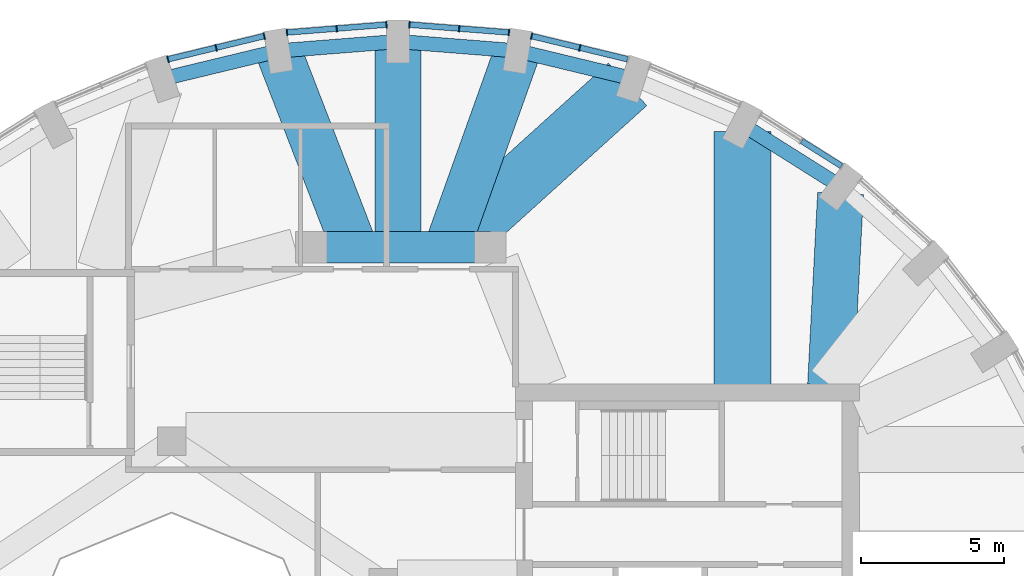
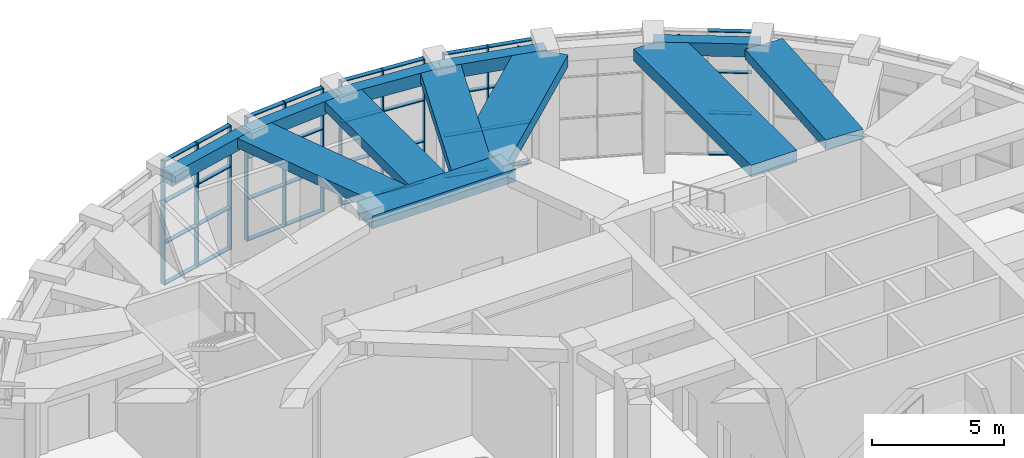
# One storey, part 10 of 20: 47 members, 12 beams, 5 elements without a shape of their own.
"""IFC4 building model written with IfcOpenShell, lengths in metres."""

import ifcopenshell
import ifcopenshell.guid

model = None  # the IFC model being written
_history = None  # IfcOwnerHistory: only IFC2X3 demands one
_inside = {}  # id of a spatial element -> (the spatial element, [elements in it])
_under = {}  # id of a project, library or spatial element -> (it, [spatial elements below it])
_declared = {}  # id of a project -> (the project, [libraries it declares])
_typed = {}  # id of a type object -> (the type object, [elements of that type])
_made_of = {}  # id of a material, layer set ... -> (it, [elements and type objects made of it])


def new_model(schema):
    """Start an empty IFC model of exactly this schema.

    Asked for "IFC4X3", IfcOpenShell would pick the latest addendum, in which some entities
    have other attributes; the version numbers below select the first issue.
    IFC2X3 requires an IfcOwnerHistory on every rooted entity: one is made here for all.
    """
    global model, _history
    if schema == "IFC4X3":
        model = ifcopenshell.file(schema_version=(4, 3, 0, 0))
    else:
        model = ifcopenshell.file(schema=schema)
    _inside.clear()
    _under.clear()
    _declared.clear()
    _typed.clear()
    _made_of.clear()
    _history = None
    if model.schema == "IFC2X3":
        org = make("IfcOrganization", Name="unknown")
        user = make(
            "IfcPersonAndOrganization",
            ThePerson=make("IfcPerson", FamilyName="unknown"),
            TheOrganization=org,
        )
        app = make(
            "IfcApplication",
            ApplicationDeveloper=org,
            Version="unknown",
            ApplicationFullName="unknown",
            ApplicationIdentifier="unknown",
        )
        _history = make(
            "IfcOwnerHistory",
            OwningUser=user,
            OwningApplication=app,
            ChangeAction="ADDED",
            CreationDate=0,
        )
    return model


def make(cls, **values):
    """One entity of the class cls with the attributes given. An attribute that is None is left unset."""
    return model.create_entity(
        cls, **{name: value for name, value in values.items() if value is not None}
    )


def rooted(cls, **values):
    """An entity with a GlobalId (a new one), such as an element, a storey or a relation."""
    return make(cls, GlobalId=ifcopenshell.guid.new(), OwnerHistory=_history, **values)


def si_unit(unit_type, name, prefix=None):
    """IfcSIUnit, for example si_unit("LENGTHUNIT", "METRE", prefix="MILLI")."""
    return make("IfcSIUnit", UnitType=unit_type, Prefix=prefix, Name=name)


def assignment(units):
    """IfcUnitAssignment: the units of a project."""
    return None if units is None else make("IfcUnitAssignment", Units=units)


def point(xyz):
    """IfcCartesianPoint."""
    return None if xyz is None else make("IfcCartesianPoint", Coordinates=xyz)


def direction(xyz):
    """IfcDirection."""
    return None if xyz is None else make("IfcDirection", DirectionRatios=xyz)


def frame(location, z_axis=None, x_axis=None):
    """IfcAxis2Placement3D, a coordinate frame: its origin and axes. An axis left out is left unset."""
    return make(
        "IfcAxis2Placement3D",
        Location=point(location),
        Axis=direction(z_axis),
        RefDirection=direction(x_axis),
    )


def frame_2d(location, x_axis=None):
    """IfcAxis2Placement2D, a coordinate frame in the plane: its origin and x axis."""
    return make(
        "IfcAxis2Placement2D", Location=point(location), RefDirection=direction(x_axis)
    )


def origin():
    """The frame at (0, 0, 0) with its axes left unset."""
    return frame((0.0, 0.0, 0.0))


def origin_2d():
    """The frame at (0, 0) in the plane with its x axis left unset."""
    return frame_2d((0.0, 0.0))


def place(relative_to, where):
    """IfcLocalPlacement: puts the frame where relative to a parent placement (None: the world)."""
    return make(
        "IfcLocalPlacement", PlacementRelTo=relative_to, RelativePlacement=where
    )


def context(
    kind, dimensions, precision=None, world=None, true_north=None, identifier=None
):
    """IfcGeometricRepresentationContext, for example the 3D "Model" context."""
    return make(
        "IfcGeometricRepresentationContext",
        ContextIdentifier=identifier,
        ContextType=kind,
        CoordinateSpaceDimension=dimensions,
        Precision=precision,
        WorldCoordinateSystem=world,
        TrueNorth=true_north,
    )


def subcontext(parent, identifier, kind, view, scale=None):
    """IfcGeometricRepresentationSubContext, for example "Body" below "Model"."""
    return make(
        "IfcGeometricRepresentationSubContext",
        ContextIdentifier=identifier,
        ContextType=kind,
        ParentContext=parent,
        TargetScale=scale,
        TargetView=view,
    )


def project(units=None, contexts=None):
    """IfcProject with its units and contexts."""
    return rooted(
        "IfcProject",
        Name="project",
        RepresentationContexts=contexts,
        UnitsInContext=assignment(units),
    )


def spatial(cls, under=None, at=None, **own):
    """A site, building, storey or space (cls), placed at a placement, below another one or the project."""
    s = rooted(cls, ObjectPlacement=at, **own)
    if under is not None:
        _under.setdefault(under.id(), (under, []))[1].append(s)
    return s


def profile(cls, at=None, kind="AREA", **sizes):
    """A parametric profile (cls). Its sizes go by their IFC names, for example OverallWidth=200.0."""
    return make(cls, ProfileType=kind, Position=at, **sizes)


def rectangle(**sizes):
    """IfcRectangleProfileDef."""
    return profile("IfcRectangleProfileDef", **sizes)


def extrude(swept, where, along, depth):
    """IfcExtrudedAreaSolid: the profile swept, set in the frame where, extruded along a direction by depth."""
    return make(
        "IfcExtrudedAreaSolid",
        SweptArea=swept,
        Position=where,
        ExtrudedDirection=direction(along),
        Depth=depth,
    )


def shape(context_of_items, identifier, shape_type, items):
    """IfcShapeRepresentation: the items that make up one representation, for example the "Body"."""
    return make(
        "IfcShapeRepresentation",
        ContextOfItems=context_of_items,
        RepresentationIdentifier=identifier,
        RepresentationType=shape_type,
        Items=items,
    )


def material(Name=None, Category=None):
    """IfcMaterial."""
    return make("IfcMaterial", Name=Name, Category=Category)


def material_profile(
    of_material, cross_section, Name=None, Category=None, Priority=None
):
    """IfcMaterialProfile: a cross section and its material."""
    return make(
        "IfcMaterialProfile",
        Name=Name,
        Material=of_material,
        Profile=cross_section,
        Priority=Priority,
        Category=Category,
    )


def profile_set(profiles, Name=None, composite=None):
    """IfcMaterialProfileSet."""
    return make(
        "IfcMaterialProfileSet",
        Name=Name,
        MaterialProfiles=profiles,
        CompositeProfile=composite,
    )


def made_of(thing, what):
    """Note that an element or type object is made of a material, layer set ...; save() writes the relation."""
    if what is not None:
        _made_of.setdefault(what.id(), (what, []))[1].append(thing)
    return thing


def type_object(cls, material=None, **own):
    """A type object (cls), such as IfcWallType, which elements share."""
    return made_of(rooted(cls, **own), material)


def element(
    cls,
    number,
    at=None,
    inside=None,
    cuts=None,
    type_object=None,
    material=None,
    context=None,
    identifier="Body",
    shape_type=None,
    held_by="IfcProductDefinitionShape",
    body=None,
    shapes=None,
    **own,
):
    """One element of the class cls, such as IfcWall. Its Tag is "e" and its number.

    at: its placement. inside: the storey or other place that contains it. cuts: it is an
    opening in that element (IfcRelVoidsElement). A single representation is given by context,
    identifier, shape_type and body (its items); several are given by shapes. held_by: the class
    of the entity that holds the representations. save() writes the other relations.
    """
    e = rooted(cls, Tag="e%d" % number, ObjectPlacement=at, **own)
    if body is not None:
        shapes = [shape(context, identifier, shape_type, body)]
    if shapes is not None:
        e.Representation = make(held_by, Representations=shapes)
    if inside is not None:
        _inside.setdefault(inside.id(), (inside, []))[1].append(e)
    if cuts is not None:
        rooted(
            "IfcRelVoidsElement", RelatingBuildingElement=cuts, RelatedOpeningElement=e
        )
    if type_object is not None:
        _typed.setdefault(type_object.id(), (type_object, []))[1].append(e)
    return made_of(e, material)


def aggregate(whole, parts):
    """IfcRelAggregates: a whole, such as a stair, and the parts it consists of."""
    return rooted("IfcRelAggregates", RelatingObject=whole, RelatedObjects=parts)


def save(model, path):
    """Write the relations noted so far, then the file.

    IfcRelAggregates (storeys below a building ...), IfcRelContainedInSpatialStructure (elements
    in a storey), IfcRelDefinesByType, IfcRelAssociatesMaterial and IfcRelDeclares: one each for
    every whole, place, type object, material and project.
    """
    for whole, parts in _under.values():
        aggregate(whole, parts)
    for where, things in _inside.values():
        rooted(
            "IfcRelContainedInSpatialStructure",
            RelatedElements=things,
            RelatingStructure=where,
        )
    for kind, things in _typed.values():
        rooted("IfcRelDefinesByType", RelatedObjects=things, RelatingType=kind)
    for what, things in _made_of.values():
        rooted("IfcRelAssociatesMaterial", RelatedObjects=things, RelatingMaterial=what)
    for by, libraries in _declared.values():
        rooted("IfcRelDeclares", RelatingContext=by, RelatedDefinitions=libraries)
    model.write(path)


model = new_model("IFC4")

# Units and contexts
model_context = context("Model", 3, precision=1e-05, world=origin(), true_north=direction((0.0, 1.0)))
body_context = subcontext(model_context, "Body", "Model", "MODEL_VIEW")
ifc_project = project(units=[si_unit("LENGTHUNIT", "METRE"), si_unit("AREAUNIT", "SQUARE_METRE"), si_unit("VOLUMEUNIT", "CUBIC_METRE"), si_unit("PLANEANGLEUNIT", "RADIAN"), si_unit("MASSUNIT", "GRAM", prefix="KILO")], contexts=[model_context])

# Site, building, storey
site_placement = place(None, origin())
site = spatial("IfcSite", under=ifc_project, at=site_placement, CompositionType="ELEMENT")
building_placement = place(site_placement, origin())
building = spatial("IfcBuilding", under=site, at=building_placement, Name="Taillehof Tower", CompositionType="ELEMENT")
storey_placement = place(building_placement, frame((0.0, 0.0, 269.199951171875)))
storey = spatial("IfcBuildingStorey", under=building, at=storey_placement, Name="L76", CompositionType="ELEMENT", Elevation=269.199951171875)

# Beam
ifc_material_1 = material(Name="Concrete C50/60", Category="concrete")
ifc_material_profile_1 = material_profile(ifc_material_1, rectangle(XDim=1.10009765625, YDim=0.60009765625, at=origin_2d()), Name="RC 1100x600")
ifc_profile_set_1 = profile_set([ifc_material_profile_1], Name="Concrete C50/60")
beam_type_1 = type_object("IfcBeamType", Name="Mid-ring beam C50/60 1100x600", PredefinedType="BEAM", material=ifc_profile_set_1)
beam_1_placement = place(storey_placement, frame((3.125732421875, 14.772216796875, 5.400146484375), z_axis=(-1.0, 0.0, 0.0), x_axis=(0.0, -1.0, 0.0)))
element("IfcBeam", 1, at=beam_1_placement, inside=storey, type_object=beam_type_1, Name="Mid-ring beam MB01", PredefinedType="BEAM", context=body_context, shape_type="SweptSolid", body=[
    extrude(rectangle(XDim=1.10009765625, YDim=0.60009765625, at=origin_2d()), origin(), (0.0, 0.0, 1.0), 6.25146484375),
])

# Curtain wall, members
ifc_material_2 = material(Name="Aluminium curtain wall with Clear toughened laminated glass", Category="aluminium")
curtain_wall_type = type_object("IfcCurtainWallType", Name="Observation deck curtain wall", PredefinedType="USERDEFINED", material=ifc_material_2)
curtain_wall_1_placement = place(storey_placement, origin())
curtain_wall_1 = element("IfcCurtainWall", 2, at=curtain_wall_1_placement, inside=storey, type_object=curtain_wall_type, Name="Observation deck L76 bay 8", ObjectType="WINDOW WALL", PredefinedType="USERDEFINED")
ifc_material_3 = material(Name="Aluminium mullion", Category="aluminium")
ifc_material_profile_2 = material_profile(ifc_material_3, rectangle(XDim=0.239990234375, YDim=0.0400390625, at=origin_2d()), Name="AL 40x240")
ifc_profile_set_2 = profile_set([ifc_material_profile_2], Name="Aluminium mullion")
member_type_1 = type_object("IfcMemberType", Name="Observation deck mullion 40x240", PredefinedType="MULLION", material=ifc_profile_set_2)
member_1_placement = place(storey_placement, frame((6.246337890625, 21.73291015625, 0.0), z_axis=(0.0, 0.0, 1.0), x_axis=(-0.234514520129, -0.972112616855, 0.0)))
member_1 = element("IfcMember", 3, at=member_1_placement, type_object=member_type_1, Name="CT6E08 mullion 2", PredefinedType="MULLION", context=body_context, shape_type="SweptSolid", body=[
    extrude(rectangle(XDim=0.239990234375, YDim=0.0400390625, at=origin_2d()), origin(), (0.0, 0.0, 1.0), 5.699951171875),
])
member_2_placement = place(storey_placement, frame((4.563720703125, 22.138916015625, 0.0), z_axis=(0.0, 0.0, 1.0), x_axis=(-0.234514520129, -0.972112616855, 0.0)))
member_2 = element("IfcMember", 4, at=member_2_placement, type_object=member_type_1, Name="CT6E08 mullion 3", PredefinedType="MULLION", context=body_context, shape_type="SweptSolid", body=[
    extrude(rectangle(XDim=0.239990234375, YDim=0.0400390625, at=origin_2d()), origin(), (0.0, 0.0, 1.0), 5.699951171875),
])

curtain_wall_2_placement = place(storey_placement, origin())
curtain_wall_2 = element("IfcCurtainWall", 5, at=curtain_wall_2_placement, inside=storey, type_object=curtain_wall_type, Name="Observation deck L76 bay 9", ObjectType="WINDOW WALL", PredefinedType="USERDEFINED")
member_3_placement = place(storey_placement, frame((3.773681640625, 22.264404296875, 0.0), z_axis=(0.0, 0.0, 1.0), x_axis=(-0.078525059075, -0.996912140109, 0.0)))
member_3 = element("IfcMember", 6, at=member_3_placement, type_object=member_type_1, Name="CT6E09 mullion 1", PredefinedType="MULLION", context=body_context, shape_type="SweptSolid", body=[
    extrude(rectangle(XDim=0.239990234375, YDim=0.0400390625, at=origin_2d()), origin(), (0.0, 0.0, 1.0), 5.699951171875),
])
member_4_placement = place(storey_placement, frame((2.036865234375, 22.4013671875, 0.0), z_axis=(0.0, 0.0, 1.0), x_axis=(-0.078525059075, -0.996912140109, 0.0)))
member_4 = element("IfcMember", 7, at=member_4_placement, type_object=member_type_1, Name="CT6E09 mullion 2", PredefinedType="MULLION", context=body_context, shape_type="SweptSolid", body=[
    extrude(rectangle(XDim=0.239990234375, YDim=0.0400390625, at=origin_2d()), origin(), (0.0, 0.0, 1.0), 5.699951171875),
])
member_5_placement = place(storey_placement, frame((0.300048828125, 22.5380859375, 0.0), z_axis=(0.0, 0.0, 1.0), x_axis=(-0.078525059075, -0.996912140109, 0.0)))
member_5 = element("IfcMember", 8, at=member_5_placement, type_object=member_type_1, Name="CT6E09 mullion 3", PredefinedType="MULLION", context=body_context, shape_type="SweptSolid", body=[
    extrude(rectangle(XDim=0.239990234375, YDim=0.0400390625, at=origin_2d()), origin(), (0.0, 0.0, 1.0), 5.699951171875),
])

curtain_wall_3_placement = place(storey_placement, origin())
curtain_wall_3 = element("IfcCurtainWall", 9, at=curtain_wall_3_placement, inside=storey, type_object=curtain_wall_type, Name="Observation deck L76 bay 10", ObjectType="WINDOW WALL", PredefinedType="USERDEFINED")
member_6_placement = place(storey_placement, frame((-0.5, 22.5380859375, 0.0), z_axis=(0.0, 0.0, 1.0), x_axis=(0.078525059075, -0.996912140109, 0.0)))
member_6 = element("IfcMember", 10, at=member_6_placement, type_object=member_type_1, Name="CT6E10 mullion 1", PredefinedType="MULLION", context=body_context, shape_type="SweptSolid", body=[
    extrude(rectangle(XDim=0.239990234375, YDim=0.0400390625, at=origin_2d()), origin(), (0.0, 0.0, 1.0), 5.699951171875),
])
member_7_placement = place(storey_placement, frame((-2.23681640625, 22.4013671875, 0.0), z_axis=(0.0, 0.0, 1.0), x_axis=(0.078525059075, -0.996912140109, 0.0)))
member_7 = element("IfcMember", 11, at=member_7_placement, type_object=member_type_1, Name="CT6E10 mullion 2", PredefinedType="MULLION", context=body_context, shape_type="SweptSolid", body=[
    extrude(rectangle(XDim=0.239990234375, YDim=0.0400390625, at=origin_2d()), origin(), (0.0, 0.0, 1.0), 5.699951171875),
])
member_8_placement = place(storey_placement, frame((-3.9736328125, 22.264404296875, 0.0), z_axis=(0.0, 0.0, 1.0), x_axis=(0.078525059075, -0.996912140109, 0.0)))
member_8 = element("IfcMember", 12, at=member_8_placement, type_object=member_type_1, Name="CT6E10 mullion 3", PredefinedType="MULLION", context=body_context, shape_type="SweptSolid", body=[
    extrude(rectangle(XDim=0.239990234375, YDim=0.0400390625, at=origin_2d()), origin(), (0.0, 0.0, 1.0), 5.699951171875),
])

curtain_wall_4_placement = place(storey_placement, origin())
curtain_wall_4 = element("IfcCurtainWall", 13, at=curtain_wall_4_placement, inside=storey, type_object=curtain_wall_type, Name="Observation deck L76 bay 11", ObjectType="WINDOW WALL", PredefinedType="USERDEFINED")
member_9_placement = place(storey_placement, frame((-4.763671875, 22.138916015625, 0.0), z_axis=(0.0, 0.0, 1.0), x_axis=(0.234514520129, -0.972112616855, 0.0)))
member_9 = element("IfcMember", 14, at=member_9_placement, type_object=member_type_1, Name="CT6E11 mullion 1", PredefinedType="MULLION", context=body_context, shape_type="SweptSolid", body=[
    extrude(rectangle(XDim=0.239990234375, YDim=0.0400390625, at=origin_2d()), origin(), (0.0, 0.0, 1.0), 5.699951171875),
])
member_10_placement = place(storey_placement, frame((-6.4462890625, 21.73291015625, 0.0), z_axis=(0.0, 0.0, 1.0), x_axis=(0.234514520129, -0.972112616855, 0.0)))
member_10 = element("IfcMember", 15, at=member_10_placement, type_object=member_type_1, Name="CT6E11 mullion 2", PredefinedType="MULLION", context=body_context, shape_type="SweptSolid", body=[
    extrude(rectangle(XDim=0.239990234375, YDim=0.0400390625, at=origin_2d()), origin(), (0.0, 0.0, 1.0), 5.699951171875),
])
member_11_placement = place(storey_placement, frame((-8.12890625, 21.3271484375, 0.0), z_axis=(0.0, 0.0, 1.0), x_axis=(0.234514520129, -0.972112616855, 0.0)))
member_11 = element("IfcMember", 16, at=member_11_placement, type_object=member_type_1, Name="CT6E11 mullion 3", PredefinedType="MULLION", context=body_context, shape_type="SweptSolid", body=[
    extrude(rectangle(XDim=0.239990234375, YDim=0.0400390625, at=origin_2d()), origin(), (0.0, 0.0, 1.0), 5.699951171875),
])

curtain_wall_5_placement = place(storey_placement, origin())
curtain_wall_5 = element("IfcCurtainWall", 17, at=curtain_wall_5_placement, inside=storey, type_object=curtain_wall_type, Name="Observation deck L76 bay 6", ObjectType="WINDOW WALL", PredefinedType="USERDEFINED")
ifc_material_4 = material(Name="Aluminium transom", Category="aluminium")
ifc_material_profile_3 = material_profile(ifc_material_4, rectangle(XDim=0.199951171875, YDim=0.0400390625, at=origin_2d()), Name="AL 200x40")
ifc_profile_set_3 = profile_set([ifc_material_profile_3], Name="Aluminium transom")
member_type_2 = type_object("IfcMemberType", Name="Observation deck transom 200x40", PredefinedType="USERDEFINED", material=ifc_profile_set_3)
member_12_placement = place(storey_placement, frame((15.376708984375, 17.603271484375, 0.02001953125), z_axis=(-0.845909544428, 0.533326394102, 0.0), x_axis=(-0.533326394102, -0.845909544428, 0.0)))
member_12 = element("IfcMember", 18, at=member_12_placement, type_object=member_type_2, Name="CT6E06 transom 1.1", ObjectType="TRANSOM", PredefinedType="USERDEFINED", context=body_context, shape_type="SweptSolid", body=[
    extrude(rectangle(XDim=0.199951171875, YDim=0.0400390625, at=origin_2d()), origin(), (0.0, 0.0, 1.0), 1.64013671875),
])
member_13_placement = place(storey_placement, frame((15.376708984375, 17.603271484375, 1.900146484375), z_axis=(-0.845909544428, 0.533326394102, 0.0), x_axis=(-0.533326394102, -0.845909544428, 0.0)))
member_13 = element("IfcMember", 19, at=member_13_placement, type_object=member_type_2, Name="CT6E06 transom 1.2", ObjectType="TRANSOM", PredefinedType="USERDEFINED", context=body_context, shape_type="SweptSolid", body=[
    extrude(rectangle(XDim=0.199951171875, YDim=0.0400390625, at=origin_2d()), origin(), (0.0, 0.0, 1.0), 1.64013671875),
])
member_14_placement = place(storey_placement, frame((15.376708984375, 17.603271484375, 3.800048828125), z_axis=(-0.845909544428, 0.533326394102, 0.0), x_axis=(-0.533326394102, -0.845909544428, 0.0)))
member_14 = element("IfcMember", 20, at=member_14_placement, type_object=member_type_2, Name="CT6E06 transom 1.3", ObjectType="TRANSOM", PredefinedType="USERDEFINED", context=body_context, shape_type="SweptSolid", body=[
    extrude(rectangle(XDim=0.199951171875, YDim=0.0400390625, at=origin_2d()), origin(), (0.0, 0.0, 1.0), 1.64013671875),
])
member_15_placement = place(storey_placement, frame((15.376708984375, 17.603271484375, 5.679931640625), z_axis=(-0.845909544428, 0.533326394102, 0.0), x_axis=(-0.533326394102, -0.845909544428, 0.0)))
member_15 = element("IfcMember", 21, at=member_15_placement, type_object=member_type_2, Name="CT6E06 transom 1.4", ObjectType="TRANSOM", PredefinedType="USERDEFINED", context=body_context, shape_type="SweptSolid", body=[
    extrude(rectangle(XDim=0.199951171875, YDim=0.0400390625, at=origin_2d()), origin(), (0.0, 0.0, 1.0), 1.64013671875),
])
aggregate(curtain_wall_5, [member_12, member_13, member_14, member_15])

# Member
member_16_placement = place(storey_placement, frame((7.909423828125, 21.331787109375, 0.02001953125), z_axis=(-0.972114000527, 0.234508784441, 0.0), x_axis=(-0.234508784441, -0.972114000527, 0.0)))
member_16 = element("IfcMember", 22, at=member_16_placement, type_object=member_type_2, Name="CT6E08 transom 1.1", ObjectType="TRANSOM", PredefinedType="USERDEFINED", context=body_context, shape_type="SweptSolid", body=[
    extrude(rectangle(XDim=0.199951171875, YDim=0.0400390625, at=origin_2d()), origin(), (0.0, 0.0, 1.0), 1.690673828125),
])

member_17_placement = place(storey_placement, frame((7.909423828125, 21.331787109375, 1.900146484375), z_axis=(-0.972114000527, 0.234508784441, 0.0), x_axis=(-0.234508784441, -0.972114000527, 0.0)))
member_17 = element("IfcMember", 23, at=member_17_placement, type_object=member_type_2, Name="CT6E08 transom 1.2", ObjectType="TRANSOM", PredefinedType="USERDEFINED", context=body_context, shape_type="SweptSolid", body=[
    extrude(rectangle(XDim=0.199951171875, YDim=0.0400390625, at=origin_2d()), origin(), (0.0, 0.0, 1.0), 1.690673828125),
])

member_18_placement = place(storey_placement, frame((7.909423828125, 21.331787109375, 3.800048828125), z_axis=(-0.972114000527, 0.234508784441, 0.0), x_axis=(-0.234508784441, -0.972114000527, 0.0)))
member_18 = element("IfcMember", 24, at=member_18_placement, type_object=member_type_2, Name="CT6E08 transom 1.3", ObjectType="TRANSOM", PredefinedType="USERDEFINED", context=body_context, shape_type="SweptSolid", body=[
    extrude(rectangle(XDim=0.199951171875, YDim=0.0400390625, at=origin_2d()), origin(), (0.0, 0.0, 1.0), 1.690673828125),
])

member_19_placement = place(storey_placement, frame((7.909423828125, 21.331787109375, 5.679931640625), z_axis=(-0.972114000527, 0.234508784441, 0.0), x_axis=(-0.234508784441, -0.972114000527, 0.0)))
member_19 = element("IfcMember", 25, at=member_19_placement, type_object=member_type_2, Name="CT6E08 transom 1.4", ObjectType="TRANSOM", PredefinedType="USERDEFINED", context=body_context, shape_type="SweptSolid", body=[
    extrude(rectangle(XDim=0.199951171875, YDim=0.0400390625, at=origin_2d()), origin(), (0.0, 0.0, 1.0), 1.690673828125),
])

member_20_placement = place(storey_placement, frame((6.226806640625, 21.737548828125, 0.02001953125), z_axis=(-0.972081072855, 0.234645238174, 0.0), x_axis=(-0.234645238174, -0.972081072855, 0.0)))
member_20 = element("IfcMember", 26, at=member_20_placement, type_object=member_type_2, Name="CT6E08 transom 2.1", ObjectType="TRANSOM", PredefinedType="USERDEFINED", context=body_context, shape_type="SweptSolid", body=[
    extrude(rectangle(XDim=0.199951171875, YDim=0.0400390625, at=origin_2d()), origin(), (0.0, 0.0, 1.0), 1.690673828125),
])

member_21_placement = place(storey_placement, frame((6.226806640625, 21.737548828125, 1.900146484375), z_axis=(-0.972081072855, 0.234645238174, 0.0), x_axis=(-0.234645238174, -0.972081072855, 0.0)))
member_21 = element("IfcMember", 27, at=member_21_placement, type_object=member_type_2, Name="CT6E08 transom 2.2", ObjectType="TRANSOM", PredefinedType="USERDEFINED", context=body_context, shape_type="SweptSolid", body=[
    extrude(rectangle(XDim=0.199951171875, YDim=0.0400390625, at=origin_2d()), origin(), (0.0, 0.0, 1.0), 1.690673828125),
])

member_22_placement = place(storey_placement, frame((6.226806640625, 21.737548828125, 3.800048828125), z_axis=(-0.972081072855, 0.234645238174, 0.0), x_axis=(-0.234645238174, -0.972081072855, 0.0)))
member_22 = element("IfcMember", 28, at=member_22_placement, type_object=member_type_2, Name="CT6E08 transom 2.3", ObjectType="TRANSOM", PredefinedType="USERDEFINED", context=body_context, shape_type="SweptSolid", body=[
    extrude(rectangle(XDim=0.199951171875, YDim=0.0400390625, at=origin_2d()), origin(), (0.0, 0.0, 1.0), 1.690673828125),
])

member_23_placement = place(storey_placement, frame((6.226806640625, 21.737548828125, 5.679931640625), z_axis=(-0.972081072855, 0.234645238174, 0.0), x_axis=(-0.234645238174, -0.972081072855, 0.0)))
member_23 = element("IfcMember", 29, at=member_23_placement, type_object=member_type_2, Name="CT6E08 transom 2.4", ObjectType="TRANSOM", PredefinedType="USERDEFINED", context=body_context, shape_type="SweptSolid", body=[
    extrude(rectangle(XDim=0.199951171875, YDim=0.0400390625, at=origin_2d()), origin(), (0.0, 0.0, 1.0), 1.690673828125),
])

aggregate(curtain_wall_1, [member_1, member_2, member_16, member_17, member_18, member_19, member_20, member_21, member_22, member_23])

member_24_placement = place(storey_placement, frame((3.753662109375, 22.26611328125, 0.02001953125), z_axis=(-0.996917074134, 0.07846239418, 0.0), x_axis=(-0.07846239418, -0.996917074134, 0.0)))
member_24 = element("IfcMember", 30, at=member_24_placement, type_object=member_type_2, Name="CT6E09 transom 1.1", ObjectType="TRANSOM", PredefinedType="USERDEFINED", context=body_context, shape_type="SweptSolid", body=[
    extrude(rectangle(XDim=0.199951171875, YDim=0.0400390625, at=origin_2d()), origin(), (0.0, 0.0, 1.0), 1.701904296875),
])

member_25_placement = place(storey_placement, frame((3.753662109375, 22.26611328125, 1.900146484375), z_axis=(-0.996917074134, 0.07846239418, 0.0), x_axis=(-0.07846239418, -0.996917074134, 0.0)))
member_25 = element("IfcMember", 31, at=member_25_placement, type_object=member_type_2, Name="CT6E09 transom 1.2", ObjectType="TRANSOM", PredefinedType="USERDEFINED", context=body_context, shape_type="SweptSolid", body=[
    extrude(rectangle(XDim=0.199951171875, YDim=0.0400390625, at=origin_2d()), origin(), (0.0, 0.0, 1.0), 1.701904296875),
])

member_26_placement = place(storey_placement, frame((3.753662109375, 22.26611328125, 3.800048828125), z_axis=(-0.996917074134, 0.07846239418, 0.0), x_axis=(-0.07846239418, -0.996917074134, 0.0)))
member_26 = element("IfcMember", 32, at=member_26_placement, type_object=member_type_2, Name="CT6E09 transom 1.3", ObjectType="TRANSOM", PredefinedType="USERDEFINED", context=body_context, shape_type="SweptSolid", body=[
    extrude(rectangle(XDim=0.199951171875, YDim=0.0400390625, at=origin_2d()), origin(), (0.0, 0.0, 1.0), 1.701904296875),
])

member_27_placement = place(storey_placement, frame((3.753662109375, 22.26611328125, 5.679931640625), z_axis=(-0.996917074134, 0.07846239418, 0.0), x_axis=(-0.07846239418, -0.996917074134, 0.0)))
member_27 = element("IfcMember", 33, at=member_27_placement, type_object=member_type_2, Name="CT6E09 transom 1.4", ObjectType="TRANSOM", PredefinedType="USERDEFINED", context=body_context, shape_type="SweptSolid", body=[
    extrude(rectangle(XDim=0.199951171875, YDim=0.0400390625, at=origin_2d()), origin(), (0.0, 0.0, 1.0), 1.701904296875),
])

member_28_placement = place(storey_placement, frame((2.016845703125, 22.40283203125, 0.02001953125), z_axis=(-0.996906730103, 0.078593711422, 0.0), x_axis=(-0.078593711422, -0.996906730103, 0.0)))
member_28 = element("IfcMember", 34, at=member_28_placement, type_object=member_type_2, Name="CT6E09 transom 2.1", ObjectType="TRANSOM", PredefinedType="USERDEFINED", context=body_context, shape_type="SweptSolid", body=[
    extrude(rectangle(XDim=0.199951171875, YDim=0.0400390625, at=origin_2d()), origin(), (0.0, 0.0, 1.0), 1.702392578125),
])

member_29_placement = place(storey_placement, frame((2.016845703125, 22.40283203125, 1.900146484375), z_axis=(-0.996906730103, 0.078593711422, 0.0), x_axis=(-0.078593711422, -0.996906730103, 0.0)))
member_29 = element("IfcMember", 35, at=member_29_placement, type_object=member_type_2, Name="CT6E09 transom 2.2", ObjectType="TRANSOM", PredefinedType="USERDEFINED", context=body_context, shape_type="SweptSolid", body=[
    extrude(rectangle(XDim=0.199951171875, YDim=0.0400390625, at=origin_2d()), origin(), (0.0, 0.0, 1.0), 1.702392578125),
])

member_30_placement = place(storey_placement, frame((2.016845703125, 22.40283203125, 3.800048828125), z_axis=(-0.996906730103, 0.078593711422, 0.0), x_axis=(-0.078593711422, -0.996906730103, 0.0)))
member_30 = element("IfcMember", 36, at=member_30_placement, type_object=member_type_2, Name="CT6E09 transom 2.3", ObjectType="TRANSOM", PredefinedType="USERDEFINED", context=body_context, shape_type="SweptSolid", body=[
    extrude(rectangle(XDim=0.199951171875, YDim=0.0400390625, at=origin_2d()), origin(), (0.0, 0.0, 1.0), 1.702392578125),
])

member_31_placement = place(storey_placement, frame((2.016845703125, 22.40283203125, 5.679931640625), z_axis=(-0.996906730103, 0.078593711422, 0.0), x_axis=(-0.078593711422, -0.996906730103, 0.0)))
member_31 = element("IfcMember", 37, at=member_31_placement, type_object=member_type_2, Name="CT6E09 transom 2.4", ObjectType="TRANSOM", PredefinedType="USERDEFINED", context=body_context, shape_type="SweptSolid", body=[
    extrude(rectangle(XDim=0.199951171875, YDim=0.0400390625, at=origin_2d()), origin(), (0.0, 0.0, 1.0), 1.702392578125),
])

aggregate(curtain_wall_2, [member_3, member_4, member_5, member_24, member_25, member_26, member_27, member_28, member_29, member_30, member_31])

member_32_placement = place(storey_placement, frame((-0.52001953125, 22.53662109375, 0.02001953125), z_axis=(-0.996905844017, -0.078604950003, 0.0), x_axis=(0.078604950003, -0.996905844017, 0.0)))
member_32 = element("IfcMember", 38, at=member_32_placement, type_object=member_type_2, Name="CT6E10 transom 1.1", ObjectType="TRANSOM", PredefinedType="USERDEFINED", context=body_context, shape_type="SweptSolid", body=[
    extrude(rectangle(XDim=0.199951171875, YDim=0.0400390625, at=origin_2d()), origin(), (0.0, 0.0, 1.0), 1.7021484375),
])

member_33_placement = place(storey_placement, frame((-0.52001953125, 22.53662109375, 1.900146484375), z_axis=(-0.996905844017, -0.078604950003, 0.0), x_axis=(0.078604950003, -0.996905844017, 0.0)))
member_33 = element("IfcMember", 39, at=member_33_placement, type_object=member_type_2, Name="CT6E10 transom 1.2", ObjectType="TRANSOM", PredefinedType="USERDEFINED", context=body_context, shape_type="SweptSolid", body=[
    extrude(rectangle(XDim=0.199951171875, YDim=0.0400390625, at=origin_2d()), origin(), (0.0, 0.0, 1.0), 1.7021484375),
])

member_34_placement = place(storey_placement, frame((-0.52001953125, 22.53662109375, 3.800048828125), z_axis=(-0.996905844017, -0.078604950003, 0.0), x_axis=(0.078604950003, -0.996905844017, 0.0)))
member_34 = element("IfcMember", 40, at=member_34_placement, type_object=member_type_2, Name="CT6E10 transom 1.3", ObjectType="TRANSOM", PredefinedType="USERDEFINED", context=body_context, shape_type="SweptSolid", body=[
    extrude(rectangle(XDim=0.199951171875, YDim=0.0400390625, at=origin_2d()), origin(), (0.0, 0.0, 1.0), 1.7021484375),
])

member_35_placement = place(storey_placement, frame((-0.52001953125, 22.53662109375, 5.679931640625), z_axis=(-0.996905844017, -0.078604950003, 0.0), x_axis=(0.078604950003, -0.996905844017, 0.0)))
member_35 = element("IfcMember", 41, at=member_35_placement, type_object=member_type_2, Name="CT6E10 transom 1.4", ObjectType="TRANSOM", PredefinedType="USERDEFINED", context=body_context, shape_type="SweptSolid", body=[
    extrude(rectangle(XDim=0.199951171875, YDim=0.0400390625, at=origin_2d()), origin(), (0.0, 0.0, 1.0), 1.7021484375),
])

member_36_placement = place(storey_placement, frame((-2.2568359375, 22.399658203125, 0.02001953125), z_axis=(-0.996917074134, -0.07846239418, 0.0), x_axis=(0.07846239418, -0.996917074134, 0.0)))
member_36 = element("IfcMember", 42, at=member_36_placement, type_object=member_type_2, Name="CT6E10 transom 2.1", ObjectType="TRANSOM", PredefinedType="USERDEFINED", context=body_context, shape_type="SweptSolid", body=[
    extrude(rectangle(XDim=0.199951171875, YDim=0.0400390625, at=origin_2d()), origin(), (0.0, 0.0, 1.0), 1.701904296875),
])

member_37_placement = place(storey_placement, frame((-2.2568359375, 22.399658203125, 1.900146484375), z_axis=(-0.996917074134, -0.07846239418, 0.0), x_axis=(0.07846239418, -0.996917074134, 0.0)))
member_37 = element("IfcMember", 43, at=member_37_placement, type_object=member_type_2, Name="CT6E10 transom 2.2", ObjectType="TRANSOM", PredefinedType="USERDEFINED", context=body_context, shape_type="SweptSolid", body=[
    extrude(rectangle(XDim=0.199951171875, YDim=0.0400390625, at=origin_2d()), origin(), (0.0, 0.0, 1.0), 1.701904296875),
])

member_38_placement = place(storey_placement, frame((-2.2568359375, 22.399658203125, 3.800048828125), z_axis=(-0.996917074134, -0.07846239418, 0.0), x_axis=(0.07846239418, -0.996917074134, 0.0)))
member_38 = element("IfcMember", 44, at=member_38_placement, type_object=member_type_2, Name="CT6E10 transom 2.3", ObjectType="TRANSOM", PredefinedType="USERDEFINED", context=body_context, shape_type="SweptSolid", body=[
    extrude(rectangle(XDim=0.199951171875, YDim=0.0400390625, at=origin_2d()), origin(), (0.0, 0.0, 1.0), 1.701904296875),
])

member_39_placement = place(storey_placement, frame((-2.2568359375, 22.399658203125, 5.679931640625), z_axis=(-0.996917074134, -0.07846239418, 0.0), x_axis=(0.07846239418, -0.996917074134, 0.0)))
member_39 = element("IfcMember", 45, at=member_39_placement, type_object=member_type_2, Name="CT6E10 transom 2.4", ObjectType="TRANSOM", PredefinedType="USERDEFINED", context=body_context, shape_type="SweptSolid", body=[
    extrude(rectangle(XDim=0.199951171875, YDim=0.0400390625, at=origin_2d()), origin(), (0.0, 0.0, 1.0), 1.701904296875),
])

aggregate(curtain_wall_3, [member_6, member_7, member_8, member_32, member_33, member_34, member_35, member_36, member_37, member_38, member_39])

member_40_placement = place(storey_placement, frame((-4.783203125, 22.13427734375, 0.02001953125), z_axis=(-0.972089021451, -0.234612306529, 0.0), x_axis=(0.234612306529, -0.972089021451, 0.0)))
member_40 = element("IfcMember", 46, at=member_40_placement, type_object=member_type_2, Name="CT6E11 transom 1.1", ObjectType="TRANSOM", PredefinedType="USERDEFINED", context=body_context, shape_type="SweptSolid", body=[
    extrude(rectangle(XDim=0.199951171875, YDim=0.0400390625, at=origin_2d()), origin(), (0.0, 0.0, 1.0), 1.69091796875),
])

member_41_placement = place(storey_placement, frame((-4.783203125, 22.13427734375, 1.900146484375), z_axis=(-0.972089021451, -0.234612306529, 0.0), x_axis=(0.234612306529, -0.972089021451, 0.0)))
member_41 = element("IfcMember", 47, at=member_41_placement, type_object=member_type_2, Name="CT6E11 transom 1.2", ObjectType="TRANSOM", PredefinedType="USERDEFINED", context=body_context, shape_type="SweptSolid", body=[
    extrude(rectangle(XDim=0.199951171875, YDim=0.0400390625, at=origin_2d()), origin(), (0.0, 0.0, 1.0), 1.69091796875),
])

member_42_placement = place(storey_placement, frame((-4.783203125, 22.13427734375, 3.800048828125), z_axis=(-0.972089021451, -0.234612306529, 0.0), x_axis=(0.234612306529, -0.972089021451, 0.0)))
member_42 = element("IfcMember", 48, at=member_42_placement, type_object=member_type_2, Name="CT6E11 transom 1.3", ObjectType="TRANSOM", PredefinedType="USERDEFINED", context=body_context, shape_type="SweptSolid", body=[
    extrude(rectangle(XDim=0.199951171875, YDim=0.0400390625, at=origin_2d()), origin(), (0.0, 0.0, 1.0), 1.69091796875),
])

member_43_placement = place(storey_placement, frame((-4.783203125, 22.13427734375, 5.679931640625), z_axis=(-0.972089021451, -0.234612306529, 0.0), x_axis=(0.234612306529, -0.972089021451, 0.0)))
member_43 = element("IfcMember", 49, at=member_43_placement, type_object=member_type_2, Name="CT6E11 transom 1.4", ObjectType="TRANSOM", PredefinedType="USERDEFINED", context=body_context, shape_type="SweptSolid", body=[
    extrude(rectangle(XDim=0.199951171875, YDim=0.0400390625, at=origin_2d()), origin(), (0.0, 0.0, 1.0), 1.69091796875),
])

member_44_placement = place(storey_placement, frame((-6.4658203125, 21.728271484375, 0.02001953125), z_axis=(-0.97212194015, -0.234475869717, 0.0), x_axis=(0.234475869717, -0.97212194015, 0.0)))
member_44 = element("IfcMember", 50, at=member_44_placement, type_object=member_type_2, Name="CT6E11 transom 2.1", ObjectType="TRANSOM", PredefinedType="USERDEFINED", context=body_context, shape_type="SweptSolid", body=[
    extrude(rectangle(XDim=0.199951171875, YDim=0.0400390625, at=origin_2d()), origin(), (0.0, 0.0, 1.0), 1.69091796875),
])

member_45_placement = place(storey_placement, frame((-6.4658203125, 21.728271484375, 1.900146484375), z_axis=(-0.97212194015, -0.234475869717, 0.0), x_axis=(0.234475869717, -0.97212194015, 0.0)))
member_45 = element("IfcMember", 51, at=member_45_placement, type_object=member_type_2, Name="CT6E11 transom 2.2", ObjectType="TRANSOM", PredefinedType="USERDEFINED", context=body_context, shape_type="SweptSolid", body=[
    extrude(rectangle(XDim=0.199951171875, YDim=0.0400390625, at=origin_2d()), origin(), (0.0, 0.0, 1.0), 1.69091796875),
])

member_46_placement = place(storey_placement, frame((-6.4658203125, 21.728271484375, 3.800048828125), z_axis=(-0.97212194015, -0.234475869717, 0.0), x_axis=(0.234475869717, -0.97212194015, 0.0)))
member_46 = element("IfcMember", 52, at=member_46_placement, type_object=member_type_2, Name="CT6E11 transom 2.3", ObjectType="TRANSOM", PredefinedType="USERDEFINED", context=body_context, shape_type="SweptSolid", body=[
    extrude(rectangle(XDim=0.199951171875, YDim=0.0400390625, at=origin_2d()), origin(), (0.0, 0.0, 1.0), 1.69091796875),
])

member_47_placement = place(storey_placement, frame((-6.4658203125, 21.728271484375, 5.679931640625), z_axis=(-0.97212194015, -0.234475869717, 0.0), x_axis=(0.234475869717, -0.97212194015, 0.0)))
member_47 = element("IfcMember", 53, at=member_47_placement, type_object=member_type_2, Name="CT6E11 transom 2.4", ObjectType="TRANSOM", PredefinedType="USERDEFINED", context=body_context, shape_type="SweptSolid", body=[
    extrude(rectangle(XDim=0.199951171875, YDim=0.0400390625, at=origin_2d()), origin(), (0.0, 0.0, 1.0), 1.69091796875),
])

aggregate(curtain_wall_4, [member_9, member_10, member_11, member_40, member_41, member_42, member_43, member_44, member_45, member_46, member_47])

# Beams
ifc_material_5 = material(Name="Concrete C50/60", Category="concrete")
ifc_material_profile_4 = material_profile(ifc_material_5, rectangle(XDim=1.60009765625, YDim=0.449951171875, at=origin_2d()), Name="RC 1600x450")
ifc_profile_set_4 = profile_set([ifc_material_profile_4], Name="Concrete C50/60")
beam_type_2 = type_object("IfcBeamType", Name="Radial band beam C50/60 1600x450", PredefinedType="BEAM", material=ifc_profile_set_4)
beam_2_placement = place(storey_placement, frame((15.3466796875, 16.645751953125, 5.47509765625), z_axis=(-0.052105887855, -0.998641565553, 0.0), x_axis=(0.998641565553, -0.052105887855, 0.0)))
element("IfcBeam", 54, at=beam_2_placement, inside=storey, type_object=beam_type_2, Name="Radial band beam RB06", PredefinedType="BEAM", context=body_context, shape_type="SweptSolid", body=[
    extrude(rectangle(XDim=1.60009765625, YDim=0.449951171875, at=origin_2d()), origin(), (0.0, 0.0, 1.0), 6.704833984375),
])
beam_3_placement = place(storey_placement, frame((4.076171875, 21.62109375, 5.47509765625), z_axis=(-0.33687426523, -0.941549642571, 0.0), x_axis=(0.941549642571, -0.33687426523, 0.0)))
element("IfcBeam", 55, at=beam_3_placement, inside=storey, type_object=beam_type_2, Name="Radial band beam RB09", PredefinedType="BEAM", context=body_context, shape_type="SweptSolid", body=[
    extrude(rectangle(XDim=1.60009765625, YDim=0.449951171875, at=origin_2d()), origin(), (0.0, 0.0, 1.0), 7.27392578125),
])
beam_4_placement = place(storey_placement, frame((-0.10009765625, 21.949951171875, 5.47509765625), z_axis=(0.0, -1.0, 0.0), x_axis=(1.0, 0.0, 0.0)))
element("IfcBeam", 56, at=beam_4_placement, inside=storey, type_object=beam_type_2, Name="Radial band beam RB10", PredefinedType="BEAM", context=body_context, shape_type="SweptSolid", body=[
    extrude(rectangle(XDim=1.60009765625, YDim=0.449951171875, at=origin_2d()), origin(), (0.0, 0.0, 1.0), 7.177734375),
])
beam_5_placement = place(storey_placement, frame((-4.276123046875, 21.62109375, 5.47509765625), z_axis=(0.360900836016, -0.932604196089, 0.0), x_axis=(0.932604196089, 0.360900836016, 0.0)))
element("IfcBeam", 57, at=beam_5_placement, inside=storey, type_object=beam_type_2, Name="Radial band beam RB11", PredefinedType="BEAM", context=body_context, shape_type="SweptSolid", body=[
    extrude(rectangle(XDim=1.60009765625, YDim=0.449951171875, at=origin_2d()), origin(), (0.0, 0.0, 1.0), 7.34375),
])
ifc_material_6 = material(Name="Concrete C50/60", Category="concrete")
ifc_material_profile_5 = material_profile(ifc_material_6, rectangle(XDim=2.0, YDim=0.550048828125, at=origin_2d()), Name="RC 2000x550")
ifc_profile_set_5 = profile_set([ifc_material_profile_5], Name="Concrete C50/60")
beam_type_3 = type_object("IfcBeamType", Name="Radial band beam C50/60 2000x550", PredefinedType="BEAM", material=ifc_profile_set_5)
beam_6_placement = place(storey_placement, frame((11.925048828125, 18.8115234375, 5.425048828125), z_axis=(0.0, -1.0, 0.0), x_axis=(1.0, 0.0, 0.0)))
element("IfcBeam", 58, at=beam_6_placement, inside=storey, type_object=beam_type_3, Name="Radial band beam RB07", PredefinedType="BEAM", context=body_context, shape_type="SweptSolid", body=[
    extrude(rectangle(XDim=2.0, YDim=0.550048828125, at=origin_2d()), origin(), (0.0, 0.0, 1.0), 8.861572265625),
])
beam_7_placement = place(storey_placement, frame((7.9150390625, 20.4541015625, 5.425048828125), z_axis=(-0.742031364941, -0.670365164253, 0.0), x_axis=(0.670365164253, -0.742031364941, 0.0)))
element("IfcBeam", 59, at=beam_7_placement, inside=storey, type_object=beam_type_3, Name="Radial band beam RB08", PredefinedType="BEAM", context=body_context, shape_type="SweptSolid", body=[
    extrude(rectangle(XDim=2.0, YDim=0.550048828125, at=origin_2d()), origin(), (0.0, 0.0, 1.0), 8.189453125),
])
ifc_material_7 = material(Name="Concrete C50/60", Category="concrete")
ifc_material_profile_6 = material_profile(ifc_material_7, rectangle(XDim=0.5, YDim=0.60009765625, at=origin_2d()), Name="RC 500x600")
ifc_profile_set_6 = profile_set([ifc_material_profile_6], Name="Concrete C50/60")
beam_type_4 = type_object("IfcBeamType", Name="Spandrel beam C50/60 500x600", PredefinedType="SPANDREL", material=ifc_profile_set_6)
beam_8_placement = place(storey_placement, frame((15.359130859375, 16.884765625, 5.400146484375), z_axis=(-0.845944476237, 0.5332709847, 0.0), x_axis=(-0.5332709847, -0.845944476237, 0.0)))
element("IfcBeam", 60, at=beam_8_placement, inside=storey, type_object=beam_type_4, Name="Spandrel beam SB06", PredefinedType="SPANDREL", context=body_context, shape_type="SweptSolid", body=[
    extrude(rectangle(XDim=0.5, YDim=0.60009765625, at=origin_2d()), origin(), (0.0, 0.0, 1.0), 4.0595703125),
])
beam_9_placement = place(storey_placement, frame((8.12548828125, 20.644287109375, 5.400146484375), z_axis=(-0.972115850295, 0.234501116425, 0.0), x_axis=(-0.234501116425, -0.972115850295, 0.0)))
element("IfcBeam", 61, at=beam_9_placement, inside=storey, type_object=beam_type_4, Name="Spandrel beam SB08", PredefinedType="SPANDREL", context=body_context, shape_type="SweptSolid", body=[
    extrude(rectangle(XDim=0.5, YDim=0.60009765625, at=origin_2d()), origin(), (0.0, 0.0, 1.0), 4.16552734375),
])
beam_10_placement = place(storey_placement, frame((4.076171875, 21.62109375, 5.400146484375), z_axis=(-0.996914011582, 0.078501296247, 0.0), x_axis=(-0.078501296247, -0.996914011582, 0.0)))
element("IfcBeam", 62, at=beam_10_placement, inside=storey, type_object=beam_type_4, Name="Spandrel beam SB09", PredefinedType="SPANDREL", context=body_context, shape_type="SweptSolid", body=[
    extrude(rectangle(XDim=0.5, YDim=0.60009765625, at=origin_2d()), origin(), (0.0, 0.0, 1.0), 4.189208984375),
])
beam_11_placement = place(storey_placement, frame((-0.10009765625, 21.949951171875, 5.400146484375), z_axis=(-0.996913652411, -0.07850585734, 0.0), x_axis=(0.07850585734, -0.996913652411, 0.0)))
element("IfcBeam", 63, at=beam_11_placement, inside=storey, type_object=beam_type_4, Name="Spandrel beam SB10", PredefinedType="SPANDREL", context=body_context, shape_type="SweptSolid", body=[
    extrude(rectangle(XDim=0.5, YDim=0.60009765625, at=origin_2d()), origin(), (0.0, 0.0, 1.0), 4.18896484375),
])
beam_12_placement = place(storey_placement, frame((-4.276123046875, 21.62109375, 5.400146484375), z_axis=(-0.972119073064, -0.234487756154, 0.0), x_axis=(0.234487756154, -0.972119073064, 0.0)))
element("IfcBeam", 64, at=beam_12_placement, inside=storey, type_object=beam_type_4, Name="Spandrel beam SB11", PredefinedType="SPANDREL", context=body_context, shape_type="SweptSolid", body=[
    extrude(rectangle(XDim=0.5, YDim=0.60009765625, at=origin_2d()), origin(), (0.0, 0.0, 1.0), 4.165771484375),
])

save(model, "model.ifc")
